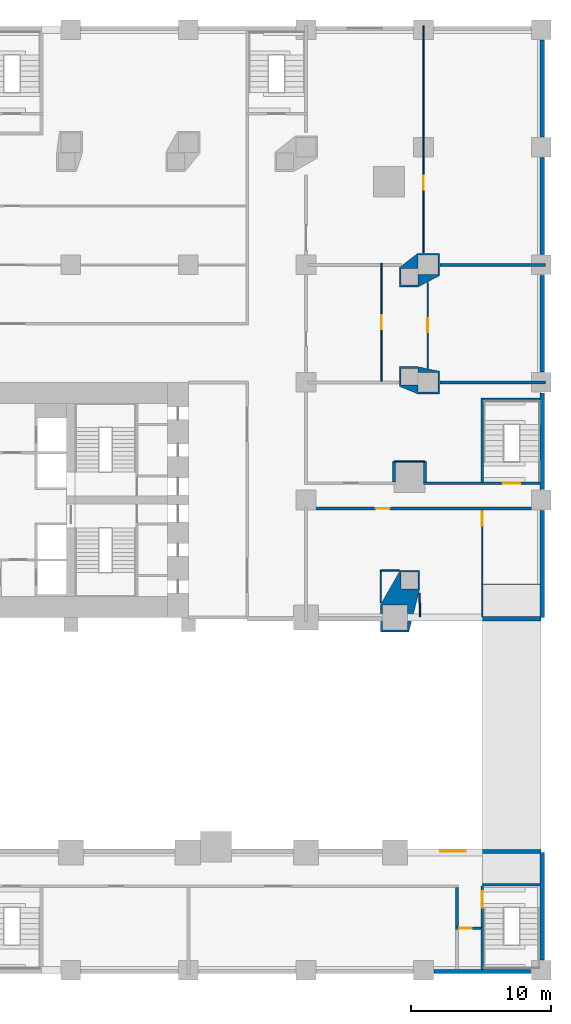
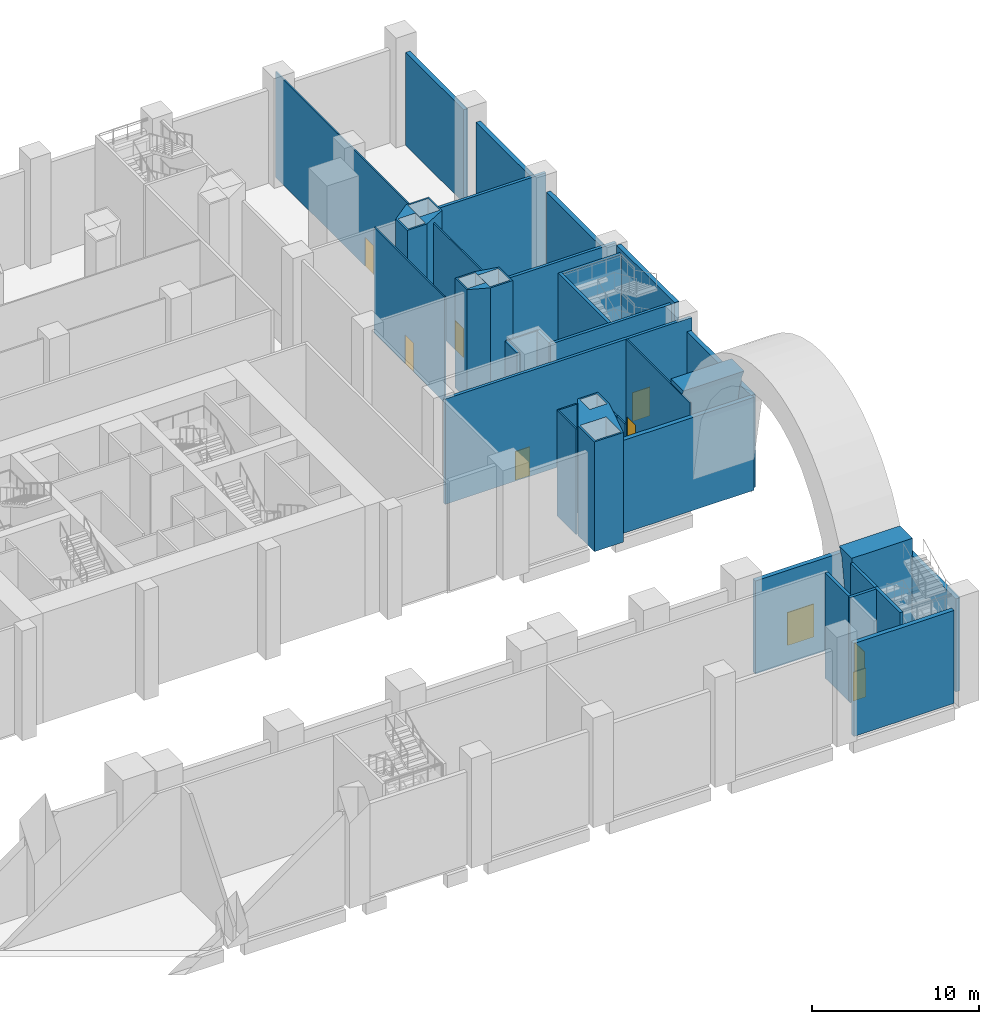
# One storey, part 9 of 19: 35 walls, 8 doors, 1 window, 9 openings.
"""IFC4 building model written with IfcOpenShell, lengths in metres."""

from ifc_helpers import new_model, si_unit, direction, frame, frame_2d, origin, place, context, subcontext, project, spatial, polyline, rectangle, outline, extrude, material, layer, layer_set, type_object, element, fill, save


model = new_model("IFC4")

# Units and contexts
model_context = context("Model", 3, precision=1e-05, world=origin(), true_north=direction((0.0, 1.0)))
body_context = subcontext(model_context, "Body", "Model", "MODEL_VIEW")
ifc_project = project(units=[si_unit("LENGTHUNIT", "METRE"), si_unit("AREAUNIT", "SQUARE_METRE"), si_unit("VOLUMEUNIT", "CUBIC_METRE"), si_unit("PLANEANGLEUNIT", "RADIAN"), si_unit("MASSUNIT", "GRAM", prefix="KILO")], contexts=[model_context])

# Site, building, storey
site_placement = place(None, origin())
site = spatial("IfcSite", under=ifc_project, at=site_placement, CompositionType="ELEMENT")
building_placement = place(site_placement, origin())
building = spatial("IfcBuilding", under=site, at=building_placement, Name="Marenta Gate Hotel Tower", CompositionType="ELEMENT")
storey_placement = place(building_placement, frame((0.0, 0.0, 13.0)))
storey = spatial("IfcBuildingStorey", under=building, at=storey_placement, Name="L02", CompositionType="ELEMENT", Elevation=13.0)

# Walls
ifc_material_1 = material(Name="Concrete C40 board-marked", Category="concrete")
ifc_layer_1 = layer(ifc_material_1, 0.300048828125)
ifc_layer_set_1 = layer_set([ifc_layer_1], Name="Concrete C40 board-marked")
wall_type_1 = type_object("IfcWallType", Name="Board-marked concrete wall 300 mm", PredefinedType="NOTDEFINED", material=ifc_layer_set_1)
wall_1_placement = place(storey_placement, frame((30.139892578125, -25.2900390625, 0.0), z_axis=(0.0, 0.0, 1.0), x_axis=(1.0, 0.0, 0.0)))
element("IfcWall", 1, at=wall_1_placement, inside=storey, type_object=wall_type_1, Name="L02-CLD-SB-S008", PredefinedType="NOTDEFINED", context=body_context, shape_type="SweptSolid", body=[
    extrude(rectangle(XDim=6.920166015625, YDim=0.300048828125, at=frame_2d((3.4599609375, 0.0))), origin(), (0.0, 0.0, 1.0), 6.780029296875),
])
wall_2_placement = place(storey_placement, frame((37.889892578125, -24.4599609375, 0.0), z_axis=(0.0, 0.0, 1.0), x_axis=(0.0, 1.0, 0.0)))
element("IfcWall", 2, at=wall_2_placement, inside=storey, type_object=wall_type_1, Name="L02-CLD-SB-E000", PredefinedType="NOTDEFINED", context=body_context, shape_type="SweptSolid", body=[
    extrude(rectangle(XDim=7.659912109375, YDim=0.300048828125, at=frame_2d((3.830078125, 0.0))), origin(), (0.0, 0.0, 1.0), 6.780029296875),
])

# Wall, opening, window
wall_3_placement = place(storey_placement, frame((37.800048828125, -16.7099609375, 0.0), z_axis=(0.0, 0.0, 1.0), x_axis=(-1.0, 0.0, 0.0)))
wall_3 = element("IfcWall", 3, at=wall_3_placement, inside=storey, type_object=wall_type_1, Name="L02-CLD-SB-N000", PredefinedType="NOTDEFINED", context=body_context, shape_type="SweptSolid", body=[
    extrude(rectangle(XDim=9.4970703125, YDim=0.300048828125, at=frame_2d((4.74853515625, 0.0))), origin(), (0.0, 0.0, 1.0), 6.780029296875),
])
opening_1_placement = place(wall_3_placement, frame((5.39990234375, 0.0, 1.199951171875)))
opening_1 = element("IfcOpeningElement", 4, at=opening_1_placement, cuts=wall_3, Name="Opening W5", PredefinedType="OPENING", context=body_context, shape_type="SweptSolid", body=[
    extrude(rectangle(XDim=1.800048828125, YDim=2.39990234375, at=frame_2d((0.89990234375, 1.199951171875))), frame((0.0, 0.14990234375, 0.0), z_axis=(0.0, -1.0, 0.0), x_axis=(1.0, 0.0, 0.0)), (0.0, 0.0, 1.0), 0.300048828125),
])
ifc_material_2 = material(Name="Tinted insulated glass in bronze anodised frame", Category="glass")
window_type = type_object("IfcWindowType", Name="Window W5 1800x2400 bronze frame", PartitioningType="SINGLE_PANEL", PredefinedType="WINDOW", material=ifc_material_2)
window_placement = place(opening_1_placement, origin())
window = element("IfcWindow", 5, at=window_placement, inside=storey, type_object=window_type, Name="Window W5", OverallHeight=2.39990234375, OverallWidth=1.800048828125, PartitioningType="SINGLE_PANEL", PredefinedType="WINDOW", context=body_context, shape_type="SweptSolid", body=[
    extrude(rectangle(XDim=1.800048828125, YDim=2.39990234375, at=frame_2d((0.89990234375, 1.199951171875))), frame((0.0, 0.030029296875, 0.0), z_axis=(0.0, -1.0, 0.0), x_axis=(1.0, 0.0, 0.0)), (0.0, 0.0, 1.0), 0.06005859375),
])
fill(opening_1, window)

# Walls
wall_4_placement = place(storey_placement, frame((28.302978515625, -0.090087890625, 0.0), z_axis=(0.0, 0.0, 1.0), x_axis=(1.0, 0.0, 0.0)))
element("IfcWall", 6, at=wall_4_placement, inside=storey, type_object=wall_type_1, Name="L02-CLD-NB-S102", PredefinedType="NOTDEFINED", context=body_context, shape_type="SweptSolid", body=[
    extrude(rectangle(XDim=9.4970703125, YDim=0.300048828125, at=frame_2d((4.74853515625, 0.0))), origin(), (0.0, 0.0, 1.0), 6.780029296875),
])
wall_5_placement = place(storey_placement, frame((37.889892578125, 0.0, 0.0), z_axis=(0.0, 0.0, 1.0), x_axis=(0.0, 1.0, 0.0)))
element("IfcWall", 7, at=wall_5_placement, inside=storey, type_object=wall_type_1, Name="L02-CLD-NB-E000", PredefinedType="NOTDEFINED", context=body_context, shape_type="SweptSolid", body=[
    extrude(rectangle(XDim=7.659912109375, YDim=0.300048828125, at=frame_2d((3.830078125, 0.0))), origin(), (0.0, 0.0, 1.0), 6.780029296875),
])
wall_6_placement = place(storey_placement, frame((37.889892578125, 9.139892578125, 0.0), z_axis=(0.0, 0.0, 1.0), x_axis=(0.0, 1.0, 0.0)))
element("IfcWall", 8, at=wall_6_placement, inside=storey, type_object=wall_type_1, Name="L02-CLD-NB-E001", PredefinedType="NOTDEFINED", context=body_context, shape_type="SweptSolid", body=[
    extrude(rectangle(XDim=6.920166015625, YDim=0.300048828125, at=frame_2d((3.4599609375, 0.0))), origin(), (0.0, 0.0, 1.0), 8.0),
])
wall_7_placement = place(storey_placement, frame((37.889892578125, 17.5400390625, 0.0), z_axis=(0.0, 0.0, 1.0), x_axis=(0.0, 1.0, 0.0)))
element("IfcWall", 9, at=wall_7_placement, inside=storey, type_object=wall_type_1, Name="L02-CLD-NB-E002", PredefinedType="NOTDEFINED", context=body_context, shape_type="SweptSolid", body=[
    extrude(rectangle(XDim=6.919921875, YDim=0.300048828125, at=frame_2d((3.4599609375, 0.0))), origin(), (0.0, 0.0, 1.0), 6.780029296875),
])
wall_8_placement = place(storey_placement, frame((37.889892578125, 25.93994140625, 0.0), z_axis=(0.0, 0.0, 1.0), x_axis=(0.0, 1.0, 0.0)))
element("IfcWall", 10, at=wall_8_placement, inside=storey, type_object=wall_type_1, Name="L02-CLD-NB-E003", PredefinedType="NOTDEFINED", context=body_context, shape_type="SweptSolid", body=[
    extrude(rectangle(XDim=6.920166015625, YDim=0.300048828125, at=frame_2d((3.4599609375, 0.0))), origin(), (0.0, 0.0, 1.0), 6.780029296875),
])
wall_9_placement = place(storey_placement, frame((37.889892578125, 34.340087890625, 0.0), z_axis=(0.0, 0.0, 1.0), x_axis=(0.0, 1.0, 0.0)))
element("IfcWall", 11, at=wall_9_placement, inside=storey, type_object=wall_type_1, Name="L02-CLD-NB-E004", PredefinedType="NOTDEFINED", context=body_context, shape_type="SweptSolid", body=[
    extrude(rectangle(XDim=6.919921875, YDim=0.300048828125, at=frame_2d((3.4599609375, 0.0))), origin(), (0.0, 0.0, 1.0), 6.780029296875),
])
ifc_material_3 = material(Name="Concrete C80", Category="concrete")
ifc_layer_2 = layer(ifc_material_3, 4.199951171875)
ifc_layer_set_2 = layer_set([ifc_layer_2], Name="Concrete C80")
wall_type_2 = type_object("IfcWallType", Name="Gate spandrel wall 4200 C80", PredefinedType="SOLIDWALL", material=ifc_layer_set_2)
wall_10_placement = place(storey_placement, frame((37.800048828125, 2.39990234375, 1.0), z_axis=(1.0, 0.0, 0.0), x_axis=(0.0, 0.0, 1.0)))
element("IfcWall", 12, at=wall_10_placement, inside=storey, type_object=wall_type_2, Name="PW2 L02-PWL-EG1", PredefinedType="SOLIDWALL", context=body_context, shape_type="SweptSolid", body=[
    extrude(outline(polyline([(0.0, 0.0), (7.0, 0.0), (7.0, 1.494873046875), (6.413818359375, 1.199951171875), (0.0, 0.0)])), origin(), (0.0, 0.0, -1.0), 4.199951171875),
])
wall_11_placement = place(storey_placement, frame((37.800048828125, -18.0, 7.413818359375), z_axis=(1.0, 0.0, 0.0), x_axis=(0.0, 0.449444543056, 0.893308234999)))
element("IfcWall", 13, at=wall_11_placement, inside=storey, type_object=wall_type_2, Name="PW2 L02-PWL-EG2", PredefinedType="SOLIDWALL", context=body_context, shape_type="SweptSolid", body=[
    extrude(outline(polyline([(0.0, 0.0), (0.6561919141221814, 0.0), (-0.015670619357999294, 1.335382403051253), (-7.162136499348765, -2.260173941400578), (0.0, 0.0)])), origin(), (0.0, 0.0, -1.0), 4.199951171875),
])
ifc_material_4 = material(Name="Concrete C70", Category="concrete")
ifc_layer_3 = layer(ifc_material_4, 1.60009765625)
ifc_layer_set_3 = layer_set([ifc_layer_3], Name="Concrete C70")
wall_type_3 = type_object("IfcWallType", Name="Pier wall board-marked concrete C70", PredefinedType="SOLIDWALL", material=ifc_layer_set_3)
wall_12_placement = place(storey_placement, origin())
element("IfcWall", 14, at=wall_12_placement, inside=storey, type_object=wall_type_3, Name="L02-PIER-8", PredefinedType="SOLIDWALL", context=body_context, shape_type="SweptSolid", body=[
    extrude(outline(polyline([(27.679931640625, 25.015380859375), (28.97900390625, 26.02001953125), (30.5400390625, 26.02001953125), (30.5400390625, 24.427490234375), (29.029541015625, 23.636474609375), (27.679931640625, 23.636474609375), (27.679931640625, 25.015380859375)]), holes=[polyline([(29.02001953125, 24.5), (30.419921875, 24.5), (30.419921875, 25.89990234375), (29.02001953125, 25.89990234375), (29.02001953125, 24.5)]), polyline([(27.800048828125, 23.75634765625), (29.0, 23.75634765625), (29.0, 24.956298828125), (27.800048828125, 24.956298828125), (27.800048828125, 23.75634765625)])]), origin(), (0.0, 0.0, 1.0), 8.0),
])
wall_13_placement = place(storey_placement, origin())
element("IfcWall", 15, at=wall_13_placement, inside=storey, type_object=wall_type_3, Name="L02-PIER-9", PredefinedType="SOLIDWALL", context=body_context, shape_type="SweptSolid", body=[
    extrude(outline(polyline([(27.679931640625, 16.52294921875), (27.679931640625, 17.923095703125), (29.0126953125, 17.923095703125), (30.5400390625, 17.59716796875), (30.5400390625, 15.97998046875), (28.996337890625, 15.97998046875), (27.679931640625, 16.52294921875)]), holes=[polyline([(29.02001953125, 16.10009765625), (30.419921875, 16.10009765625), (30.419921875, 17.5), (29.02001953125, 17.5), (29.02001953125, 16.10009765625)]), polyline([(27.800048828125, 16.603271484375), (29.0, 16.603271484375), (29.0, 17.80322265625), (27.800048828125, 17.80322265625), (27.800048828125, 16.603271484375)])]), origin(), (0.0, 0.0, 1.0), 8.0),
])
wall_14_placement = place(storey_placement, origin())
element("IfcWall", 16, at=wall_14_placement, inside=storey, type_object=wall_type_3, Name="L02-PIER-10", PredefinedType="SOLIDWALL", context=body_context, shape_type="SweptSolid", body=[
    extrude(outline(polyline([(26.343017578125, 0.931640625), (27.730224609375, 3.369140625), (29.1201171875, 3.369140625), (29.1201171875, 2.034423828125), (28.356689453125, -1.02001953125), (26.343017578125, -1.02001953125), (26.343017578125, 0.931640625)]), holes=[polyline([(27.800048828125, 2.049072265625), (29.0, 2.049072265625), (29.0, 3.2490234375), (27.800048828125, 3.2490234375), (27.800048828125, 2.049072265625)]), polyline([(26.462890625, -0.89990234375), (28.262939453125, -0.89990234375), (28.262939453125, 0.89990234375), (26.462890625, 0.89990234375), (26.462890625, -0.89990234375)])]), origin(), (0.0, 0.0, 1.0), 8.0),
])
ifc_material_5 = material(Name="Concrete blockwork", Category="masonry")
ifc_layer_4 = layer(ifc_material_5, 0.199951171875)
ifc_layer_set_4 = layer_set([ifc_layer_4], Name="Concrete blockwork")
wall_type_4 = type_object("IfcWallType", Name="Room corridor wall 200 EI 120", PredefinedType="PARTITIONING", material=ifc_layer_set_4)
for number, where, z_axis, x_axis, name in (
    (17, (29.5, 9.699951171875, 0.0), (0.0, 0.0, 1.0), (0.0, 1.0, 0.0), "L02-PTN-W008"),
    (18, (27.300048828125, 9.699951171875, 0.0), (0.0, 0.0, 1.0), (0.0, 1.0, 0.0), "L02-PTN-W012"),
):
    element("IfcWall", number, at=place(storey_placement, frame(where, z_axis=z_axis, x_axis=x_axis)), inside=storey, type_object=wall_type_4, Name=name, PredefinedType="PARTITIONING", context=body_context, shape_type="SweptSolid", body=[
        extrude(rectangle(XDim=1.4521484375, YDim=0.199951171875, at=frame_2d((0.72607421875, 0.0))), origin(), (0.0, 0.0, 1.0), 7.679931640625),
    ])

# Wall, opening, door
ifc_material_6 = material(Name="Concrete blockwork", Category="masonry")
ifc_layer_5 = layer(ifc_material_6, 0.199951171875)
ifc_layer_set_5 = layer_set([ifc_layer_5], Name="Concrete blockwork")
wall_type_5 = type_object("IfcWallType", Name="Room corridor wall 200 REI 180", PredefinedType="PARTITIONING", material=ifc_layer_set_5)
wall_15_placement = place(storey_placement, frame((33.60009765625, -22.300048828125, 0.0), z_axis=(0.0, 0.0, 1.0), x_axis=(0.0, 1.0, 0.0)))
wall_15 = element("IfcWall", 19, at=wall_15_placement, inside=storey, type_object=wall_type_5, Name="L02-PTN-W003", PredefinedType="PARTITIONING", context=body_context, shape_type="SweptSolid", body=[
    extrude(rectangle(XDim=3.10009765625, YDim=0.199951171875, at=frame_2d((1.550048828125, 0.0))), origin(), (0.0, 0.0, 1.0), 7.679931640625),
])
opening_2_placement = place(wall_15_placement, frame((1.550048828125, 0.0, 0.0)))
opening_2 = element("IfcOpeningElement", 20, at=opening_2_placement, cuts=wall_15, Name="Opening S03-20", PredefinedType="OPENING", context=body_context, shape_type="SweptSolid", body=[
    extrude(rectangle(XDim=1.199951171875, YDim=2.10009765625, at=frame_2d((0.60009765625, 1.050048828125))), frame((0.0, 0.10009765625, 0.0), z_axis=(0.0, -1.0, 0.0), x_axis=(1.0, 0.0, 0.0)), (0.0, 0.0, 1.0), 0.199951171875),
])
ifc_material_7 = material(Name="Hollow steel door set", Category="steel")
door_type_1 = type_object("IfcDoorType", Name="Podium stair door 1200x2100 EI 60", OperationType="NOTDEFINED", PredefinedType="DOOR", material=ifc_material_7)
door_1_placement = place(opening_2_placement, origin())
door_1 = element("IfcDoor", 21, at=door_1_placement, inside=storey, type_object=door_type_1, Name="L02-PD-D020", OperationType="SINGLE_SWING_LEFT", OverallHeight=2.10009765625, OverallWidth=1.199951171875, PredefinedType="DOOR", context=body_context, shape_type="SweptSolid", body=[
    extrude(rectangle(XDim=1.199951171875, YDim=2.10009765625, at=frame_2d((0.60009765625, 1.050048828125))), frame((0.0, 0.02490234375, 0.0), z_axis=(0.0, -1.0, 0.0), x_axis=(1.0, 0.0, 0.0)), (0.0, 0.0, 1.0), 0.050048828125),
])
fill(opening_2, door_1)

# Wall
wall_16_placement = place(storey_placement, frame((31.800048828125, -22.10009765625, 0.0), z_axis=(0.0, 0.0, 1.0), x_axis=(0.0, 1.0, 0.0)))
element("IfcWall", 22, at=wall_16_placement, inside=storey, type_object=wall_type_5, Name="L02-PTN-W006", PredefinedType="PARTITIONING", context=body_context, shape_type="SweptSolid", body=[
    extrude(rectangle(XDim=2.800048828125, YDim=0.199951171875, at=frame_2d((1.39990234375, 0.0))), origin(), (0.0, 0.0, 1.0), 7.679931640625),
])

# Wall, opening, door
wall_17_placement = place(storey_placement, frame((31.699951171875, -22.199951171875, 0.0), z_axis=(0.0, 0.0, 1.0), x_axis=(1.0, 0.0, 0.0)))
wall_17 = element("IfcWall", 23, at=wall_17_placement, inside=storey, type_object=wall_type_5, Name="L02-PTN-W016", PredefinedType="PARTITIONING", context=body_context, shape_type="SweptSolid", body=[
    extrude(rectangle(XDim=1.800048828125, YDim=0.199951171875, at=frame_2d((0.89990234375, 0.0))), origin(), (0.0, 0.0, 1.0), 7.679931640625),
])
opening_3_placement = place(wall_17_placement, frame((0.25, 0.0, 0.0)))
opening_3 = element("IfcOpeningElement", 24, at=opening_3_placement, cuts=wall_17, Name="Opening S03-21", PredefinedType="OPENING", context=body_context, shape_type="SweptSolid", body=[
    extrude(rectangle(XDim=0.89990234375, YDim=2.10009765625, at=frame_2d((0.449951171875, 1.050048828125))), frame((0.0, 0.10009765625, 0.0), z_axis=(0.0, -1.0, 0.0), x_axis=(1.0, 0.0, 0.0)), (0.0, 0.0, 1.0), 0.199951171875),
])
ifc_material_8 = material(Name="Hollow steel door set", Category="steel")
door_type_2 = type_object("IfcDoorType", Name="Room service door 900x2100 EI 60", OperationType="NOTDEFINED", PredefinedType="DOOR", material=ifc_material_8)
door_2_placement = place(opening_3_placement, origin())
door_2 = element("IfcDoor", 25, at=door_2_placement, inside=storey, type_object=door_type_2, Name="L02-PD-D021", OperationType="SINGLE_SWING_RIGHT", OverallHeight=2.10009765625, OverallWidth=0.89990234375, PredefinedType="DOOR", context=body_context, shape_type="SweptSolid", body=[
    extrude(rectangle(XDim=0.89990234375, YDim=2.10009765625, at=frame_2d((0.449951171875, 1.050048828125))), frame((0.0, 0.02490234375, 0.0), z_axis=(0.0, -1.0, 0.0), x_axis=(1.0, 0.0, 0.0)), (0.0, 0.0, 1.0), 0.050048828125),
])
fill(opening_3, door_2)

wall_18_placement = place(storey_placement, frame((21.10009765625, 7.800048828125, 0.0), z_axis=(0.0, 0.0, 1.0), x_axis=(1.0, 0.0, 0.0)))
wall_18 = element("IfcWall", 26, at=wall_18_placement, inside=storey, type_object=wall_type_5, Name="L02-PTN-W034", PredefinedType="PARTITIONING", context=body_context, shape_type="SweptSolid", body=[
    extrude(rectangle(XDim=17.0, YDim=0.199951171875, at=frame_2d((8.5, 0.0))), origin(), (0.0, 0.0, 1.0), 7.679931640625),
])
opening_4_placement = place(wall_18_placement, frame((4.875, 0.0, 0.0)))
opening_4 = element("IfcOpeningElement", 27, at=opening_4_placement, cuts=wall_18, Name="Opening S03-07", PredefinedType="OPENING", context=body_context, shape_type="SweptSolid", body=[
    extrude(rectangle(XDim=1.0, YDim=2.10009765625, at=frame_2d((0.5, 1.050048828125))), frame((0.0, 0.10009765625, 0.0), z_axis=(0.0, -1.0, 0.0), x_axis=(1.0, 0.0, 0.0)), (0.0, 0.0, 1.0), 0.199951171875),
])
ifc_material_9 = material(Name="Hollow steel door set", Category="steel")
door_type_3 = type_object("IfcDoorType", Name="Kitchen room door 1000x2100 EI 60", OperationType="NOTDEFINED", PredefinedType="DOOR", material=ifc_material_9)
door_3_placement = place(opening_4_placement, origin())
door_3 = element("IfcDoor", 28, at=door_3_placement, inside=storey, type_object=door_type_3, Name="L02-PD-D007", OperationType="SINGLE_SWING_LEFT", OverallHeight=2.10009765625, OverallWidth=1.0, PredefinedType="DOOR", context=body_context, shape_type="SweptSolid", body=[
    extrude(rectangle(XDim=1.0, YDim=2.10009765625, at=frame_2d((0.5, 1.050048828125))), frame((0.0, 0.02490234375, 0.0), z_axis=(0.0, -1.0, 0.0), x_axis=(1.0, 0.0, 0.0)), (0.0, 0.0, 1.0), 0.050048828125),
])
fill(opening_4, door_3)

wall_19_placement = place(storey_placement, frame((29.39990234375, 9.60009765625, 0.0), z_axis=(0.0, 0.0, 1.0), x_axis=(1.0, 0.0, 0.0)))
wall_19 = element("IfcWall", 29, at=wall_19_placement, inside=storey, type_object=wall_type_5, Name="L02-PTN-W038", PredefinedType="PARTITIONING", context=body_context, shape_type="SweptSolid", body=[
    extrude(rectangle(XDim=8.340087890625, YDim=0.199951171875, at=frame_2d((4.169921875, 0.0))), origin(), (0.0, 0.0, 1.0), 7.679931640625),
])
opening_5_placement = place(wall_19_placement, frame((5.699951171875, 0.0, 0.0)))
opening_5 = element("IfcOpeningElement", 30, at=opening_5_placement, cuts=wall_19, Name="Opening S03-28", PredefinedType="OPENING", context=body_context, shape_type="SweptSolid", body=[
    extrude(rectangle(XDim=1.199951171875, YDim=2.10009765625, at=frame_2d((0.60009765625, 1.050048828125))), frame((0.0, 0.10009765625, 0.0), z_axis=(0.0, -1.0, 0.0), x_axis=(1.0, 0.0, 0.0)), (0.0, 0.0, 1.0), 0.199951171875),
])
door_4_placement = place(opening_5_placement, origin())
door_4 = element("IfcDoor", 31, at=door_4_placement, inside=storey, type_object=door_type_1, Name="L02-PD-D028", OperationType="SINGLE_SWING_LEFT", OverallHeight=2.10009765625, OverallWidth=1.199951171875, PredefinedType="DOOR", context=body_context, shape_type="SweptSolid", body=[
    extrude(rectangle(XDim=1.199951171875, YDim=2.10009765625, at=frame_2d((0.60009765625, 1.050048828125))), frame((0.0, 0.02490234375, 0.0), z_axis=(0.0, -1.0, 0.0), x_axis=(1.0, 0.0, 0.0)), (0.0, 0.0, 1.0), 0.050048828125),
])
fill(opening_5, door_4)

ifc_material_10 = material(Name="Gypsum board on steel stud", Category="steel")
ifc_layer_6 = layer(ifc_material_10, 0.10009765625)
ifc_layer_set_6 = layer_set([ifc_layer_6], Name="Gypsum board on steel stud")
wall_type_6 = type_object("IfcWallType", Name="Room partition 100", PredefinedType="PARTITIONING", material=ifc_layer_set_6)
wall_20_placement = place(storey_placement, frame((33.60009765625, 0.06005859375, 0.0), z_axis=(0.0, 0.0, 1.0), x_axis=(0.0, 1.0, 0.0)))
wall_20 = element("IfcWall", 32, at=wall_20_placement, inside=storey, type_object=wall_type_6, Name="L02-PTN-W004", PredefinedType="PARTITIONING", context=body_context, shape_type="SweptSolid", body=[
    extrude(rectangle(XDim=7.639892578125, YDim=0.10009765625, at=frame_2d((3.81982421875, 0.0))), origin(), (0.0, 0.0, 1.0), 7.679931640625),
])
opening_6_placement = place(wall_20_placement, frame((6.489990234375, 0.0, 0.0)))
opening_6 = element("IfcOpeningElement", 33, at=opening_6_placement, cuts=wall_20, Name="Opening S03-09", PredefinedType="OPENING", context=body_context, shape_type="SweptSolid", body=[
    extrude(rectangle(XDim=1.0, YDim=2.10009765625, at=frame_2d((0.5, 1.050048828125))), frame((0.0, 0.050048828125, 0.0), z_axis=(0.0, -1.0, 0.0), x_axis=(1.0, 0.0, 0.0)), (0.0, 0.0, 1.0), 0.10009765625),
])
ifc_material_11 = material(Name="Hollow steel door set", Category="steel")
door_type_4 = type_object("IfcDoorType", Name="Room service door 1000x2100", OperationType="NOTDEFINED", PredefinedType="DOOR", material=ifc_material_11)
door_5_placement = place(opening_6_placement, origin())
door_5 = element("IfcDoor", 34, at=door_5_placement, inside=storey, type_object=door_type_4, Name="L02-PD-D009", OperationType="SINGLE_SWING_LEFT", OverallHeight=2.10009765625, OverallWidth=1.0, PredefinedType="DOOR", context=body_context, shape_type="SweptSolid", body=[
    extrude(rectangle(XDim=1.0, YDim=2.10009765625, at=frame_2d((0.5, 1.050048828125))), frame((0.0, 0.02490234375, 0.0), z_axis=(0.0, -1.0, 0.0), x_axis=(1.0, 0.0, 0.0)), (0.0, 0.0, 1.0), 0.050048828125),
])
fill(opening_6, door_5)

wall_21_placement = place(storey_placement, frame((29.699951171875, 17.827880859375, 0.0), z_axis=(0.0, 0.0, 1.0), x_axis=(0.0, 1.0, 0.0)))
wall_21 = element("IfcWall", 35, at=wall_21_placement, inside=storey, type_object=wall_type_6, Name="L02-PTN-W007", PredefinedType="PARTITIONING", context=body_context, shape_type="SweptSolid", body=[
    extrude(rectangle(XDim=6.10302734375, YDim=0.10009765625, at=frame_2d((3.051513671875, 0.0))), origin(), (0.0, 0.0, 1.0), 7.679931640625),
])
opening_7_placement = place(wall_21_placement, frame((2.551025390625, 0.0, 0.0)))
opening_7 = element("IfcOpeningElement", 36, at=opening_7_placement, cuts=wall_21, Name="Opening S03-12", PredefinedType="OPENING", context=body_context, shape_type="SweptSolid", body=[
    extrude(rectangle(XDim=1.0, YDim=2.10009765625, at=frame_2d((0.5, 1.050048828125))), frame((0.0, 0.050048828125, 0.0), z_axis=(0.0, -1.0, 0.0), x_axis=(1.0, 0.0, 0.0)), (0.0, 0.0, 1.0), 0.10009765625),
])
door_6_placement = place(opening_7_placement, origin())
door_6 = element("IfcDoor", 37, at=door_6_placement, inside=storey, type_object=door_type_4, Name="L02-PD-D012", OperationType="SINGLE_SWING_LEFT", OverallHeight=2.10009765625, OverallWidth=1.0, PredefinedType="DOOR", context=body_context, shape_type="SweptSolid", body=[
    extrude(rectangle(XDim=1.0, YDim=2.10009765625, at=frame_2d((0.5, 1.050048828125))), frame((0.0, 0.02490234375, 0.0), z_axis=(0.0, -1.0, 0.0), x_axis=(1.0, 0.0, 0.0)), (0.0, 0.0, 1.0), 0.050048828125),
])
fill(opening_7, door_6)

wall_22_placement = place(storey_placement, frame((29.39990234375, 26.070068359375, 0.0), z_axis=(0.0, 0.0, 1.0), x_axis=(0.0, 1.0, 0.0)))
wall_22 = element("IfcWall", 38, at=wall_22_placement, inside=storey, type_object=wall_type_6, Name="L02-PTN-W009", PredefinedType="PARTITIONING", context=body_context, shape_type="SweptSolid", body=[
    extrude(rectangle(XDim=16.22998046875, YDim=0.10009765625, at=frame_2d((8.114990234375, 0.0))), origin(), (0.0, 0.0, 1.0), 7.679931640625),
])
opening_8_placement = place(wall_22_placement, frame((4.514892578125, 0.0, 0.0)))
opening_8 = element("IfcOpeningElement", 39, at=opening_8_placement, cuts=wall_22, Name="Opening S03-14", PredefinedType="OPENING", context=body_context, shape_type="SweptSolid", body=[
    extrude(rectangle(XDim=1.0, YDim=2.10009765625, at=frame_2d((0.5, 1.050048828125))), frame((0.0, 0.050048828125, 0.0), z_axis=(0.0, -1.0, 0.0), x_axis=(1.0, 0.0, 0.0)), (0.0, 0.0, 1.0), 0.10009765625),
])
ifc_material_12 = material(Name="Timber door leaf", Category="wood")
door_type_5 = type_object("IfcDoorType", Name="Room inner door 1000x2100", OperationType="NOTDEFINED", PredefinedType="DOOR", material=ifc_material_12)
door_7_placement = place(opening_8_placement, origin())
door_7 = element("IfcDoor", 40, at=door_7_placement, inside=storey, type_object=door_type_5, Name="L02-PD-D014", OperationType="SINGLE_SWING_RIGHT", OverallHeight=2.10009765625, OverallWidth=1.0, PredefinedType="DOOR", context=body_context, shape_type="SweptSolid", body=[
    extrude(rectangle(XDim=1.0, YDim=2.10009765625, at=frame_2d((0.5, 1.050048828125))), frame((0.0, 0.02490234375, 0.0), z_axis=(0.0, -1.0, 0.0), x_axis=(1.0, 0.0, 0.0)), (0.0, 0.0, 1.0), 0.050048828125),
])
fill(opening_8, door_7)

# Walls
wall_23_placement = place(storey_placement, frame((29.14599609375, 0.06005859375, 0.0), z_axis=(0.0, 0.0, 1.0), x_axis=(0.0, 1.0, 0.0)))
element("IfcWall", 41, at=wall_23_placement, inside=storey, type_object=wall_type_6, Name="L02-PTN-W010", PredefinedType="PARTITIONING", context=body_context, shape_type="SweptSolid", body=[
    extrude(rectangle(XDim=1.012939453125, YDim=0.10009765625, at=frame_2d((0.50634765625, 0.0))), origin(), (0.0, 0.0, 1.0), 7.679931640625),
])
wall_24_placement = place(storey_placement, frame((29.1201171875, 1.069091796875, 0.0), z_axis=(0.0, 0.0, 1.0), x_axis=(0.0, 1.0, 0.0)))
element("IfcWall", 42, at=wall_24_placement, inside=storey, type_object=wall_type_6, Name="L02-PTN-W011", PredefinedType="PARTITIONING", context=body_context, shape_type="SweptSolid", body=[
    extrude(rectangle(XDim=0.678955078125, YDim=0.10009765625, at=frame_2d((0.33935546875, 0.0))), origin(), (0.0, 0.0, 1.0), 7.679931640625),
])

# Wall, opening, door
wall_25_placement = place(storey_placement, frame((26.39990234375, 16.89990234375, 0.0), z_axis=(0.0, 0.0, 1.0), x_axis=(0.0, 1.0, 0.0)))
wall_25 = element("IfcWall", 43, at=wall_25_placement, inside=storey, type_object=wall_type_6, Name="L02-PTN-W013", PredefinedType="PARTITIONING", context=body_context, shape_type="SweptSolid", body=[
    extrude(rectangle(XDim=8.400146484375, YDim=0.10009765625, at=frame_2d((4.2001953125, 0.0))), origin(), (0.0, 0.0, 1.0), 7.679931640625),
])
opening_9_placement = place(wall_25_placement, frame((3.699951171875, 0.0, 0.0)))
opening_9 = element("IfcOpeningElement", 44, at=opening_9_placement, cuts=wall_25, Name="Opening S03-11", PredefinedType="OPENING", context=body_context, shape_type="SweptSolid", body=[
    extrude(rectangle(XDim=1.0, YDim=2.10009765625, at=frame_2d((0.5, 1.050048828125))), frame((0.0, 0.050048828125, 0.0), z_axis=(0.0, -1.0, 0.0), x_axis=(1.0, 0.0, 0.0)), (0.0, 0.0, 1.0), 0.10009765625),
])
door_8_placement = place(opening_9_placement, origin())
door_8 = element("IfcDoor", 45, at=door_8_placement, inside=storey, type_object=door_type_5, Name="L02-PD-D011", OperationType="SINGLE_SWING_LEFT", OverallHeight=2.10009765625, OverallWidth=1.0, PredefinedType="DOOR", context=body_context, shape_type="SweptSolid", body=[
    extrude(rectangle(XDim=1.0, YDim=2.10009765625, at=frame_2d((0.5, 1.050048828125))), frame((0.0, 0.02490234375, 0.0), z_axis=(0.0, -1.0, 0.0), x_axis=(1.0, 0.0, 0.0)), (0.0, 0.0, 1.0), 0.050048828125),
])
fill(opening_9, door_8)

# Walls
wall_26_placement = place(storey_placement, frame((26.343017578125, 1.071044921875, 0.0), z_axis=(0.0, 0.0, 1.0), x_axis=(0.0, 1.0, 0.0)))
element("IfcWall", 46, at=wall_26_placement, inside=storey, type_object=wall_type_6, Name="L02-PTN-W014", PredefinedType="PARTITIONING", context=body_context, shape_type="SweptSolid", body=[
    extrude(rectangle(XDim=2.300048828125, YDim=0.10009765625, at=frame_2d((1.14990234375, 0.0))), origin(), (0.0, 0.0, 1.0), 7.679931640625),
])
wall_27_placement = place(storey_placement, frame((26.341064453125, 3.368896484375, 0.0), z_axis=(0.0, 0.0, 1.0), x_axis=(1.0, 0.0, 0.0)))
element("IfcWall", 47, at=wall_27_placement, inside=storey, type_object=wall_type_6, Name="L02-PTN-W032", PredefinedType="PARTITIONING", context=body_context, shape_type="SweptSolid", body=[
    extrude(rectangle(XDim=1.31103515625, YDim=0.10009765625, at=frame_2d((0.655517578125, 0.0))), origin(), (0.0, 0.0, 1.0), 7.679931640625),
])
wall_28_placement = place(storey_placement, frame((27.298095703125, 11.14990234375, 0.0), z_axis=(0.0, 0.0, 1.0), x_axis=(1.0, 0.0, 0.0)))
element("IfcWall", 48, at=wall_28_placement, inside=storey, type_object=wall_type_6, Name="L02-PTN-W039", PredefinedType="PARTITIONING", context=body_context, shape_type="SweptSolid", body=[
    extrude(rectangle(XDim=2.203857421875, YDim=0.10009765625, at=frame_2d((1.10205078125, 0.0))), origin(), (0.0, 0.0, 1.0), 7.679931640625),
])
ifc_material_13 = material(Name="Concrete blockwork", Category="masonry")
ifc_layer_7 = layer(ifc_material_13, 0.199951171875)
ifc_layer_set_7 = layer_set([ifc_layer_7], Name="Concrete blockwork")
wall_type_7 = type_object("IfcWallType", Name="Room party wall 200 EI 120", PredefinedType="PARTITIONING", material=ifc_layer_set_7)
for number, where, z_axis, x_axis, name in (
    (49, (30.590087890625, 16.800048828125, 0.0), (0.0, 0.0, 1.0), (1.0, 0.0, 0.0), "L02-PTN-W046"),
    (50, (30.590087890625, 25.199951171875, 0.0), (0.0, 0.0, 1.0), (1.0, 0.0, 0.0), "L02-PTN-W058"),
):
    element("IfcWall", number, at=place(storey_placement, frame(where, z_axis=z_axis, x_axis=x_axis)), inside=storey, type_object=wall_type_7, Name=name, PredefinedType="PARTITIONING", context=body_context, shape_type="SweptSolid", body=[
        extrude(rectangle(XDim=7.510009765625, YDim=0.199951171875, at=frame_2d((3.7548828125, 0.0))), origin(), (0.0, 0.0, 1.0), 7.679931640625),
    ])
ifc_material_14 = material(Name="Concrete blockwork", Category="masonry")
ifc_layer_8 = layer(ifc_material_14, 0.199951171875)
ifc_layer_set_8 = layer_set([ifc_layer_8], Name="Concrete blockwork")
wall_type_8 = type_object("IfcWallType", Name="Room party wall 200 REI 180", PredefinedType="PARTITIONING", material=ifc_layer_set_8)
wall_29_placement = place(storey_placement, frame((33.60009765625, -25.139892578125, 0.0), z_axis=(0.0, 0.0, 1.0), x_axis=(0.0, 1.0, 0.0)))
element("IfcWall", 51, at=wall_29_placement, inside=storey, type_object=wall_type_8, Name="L02-PTN-W001", PredefinedType="PARTITIONING", context=body_context, shape_type="SweptSolid", body=[
    extrude(rectangle(XDim=3.039794921875, YDim=0.199951171875, at=frame_2d((1.52001953125, 0.0))), origin(), (0.0, 0.0, 1.0), 7.679931640625),
])
wall_30_placement = place(storey_placement, frame((33.60009765625, 9.699951171875, 0.0), z_axis=(0.0, 0.0, 1.0), x_axis=(0.0, 1.0, 0.0)))
element("IfcWall", 52, at=wall_30_placement, inside=storey, type_object=wall_type_8, Name="L02-PTN-W002", PredefinedType="PARTITIONING", context=body_context, shape_type="SweptSolid", body=[
    extrude(rectangle(XDim=6.0, YDim=0.199951171875, at=frame_2d((3.0, 0.0))), origin(), (0.0, 0.0, 1.0), 7.679931640625),
])
wall_31_placement = place(storey_placement, frame((33.699951171875, 15.60009765625, 0.0), z_axis=(0.0, 0.0, 1.0), x_axis=(1.0, 0.0, 0.0)))
element("IfcWall", 53, at=wall_31_placement, inside=storey, type_object=wall_type_8, Name="L02-PTN-W042", PredefinedType="PARTITIONING", context=body_context, shape_type="SweptSolid", body=[
    extrude(rectangle(XDim=4.0400390625, YDim=0.199951171875, at=frame_2d((2.02001953125, 0.0))), origin(), (0.0, 0.0, 1.0), 7.679931640625),
])

save(model, "model.ifc")
